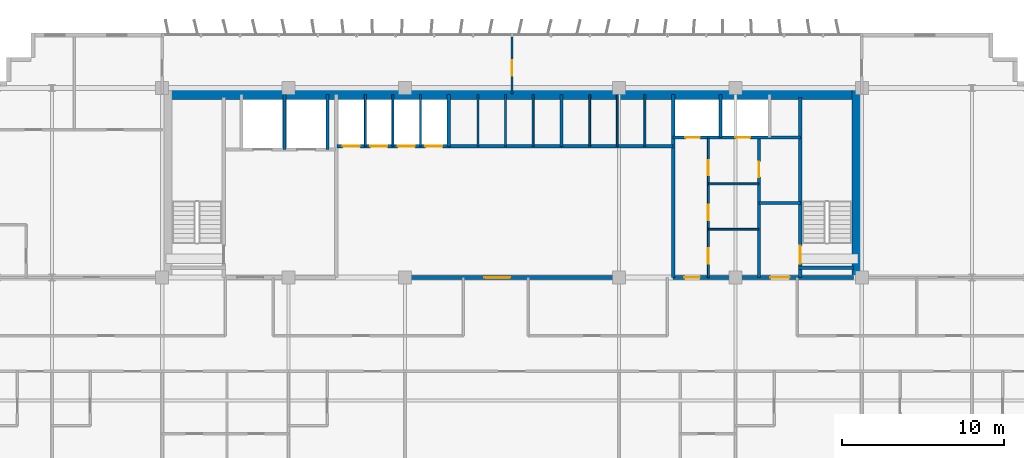
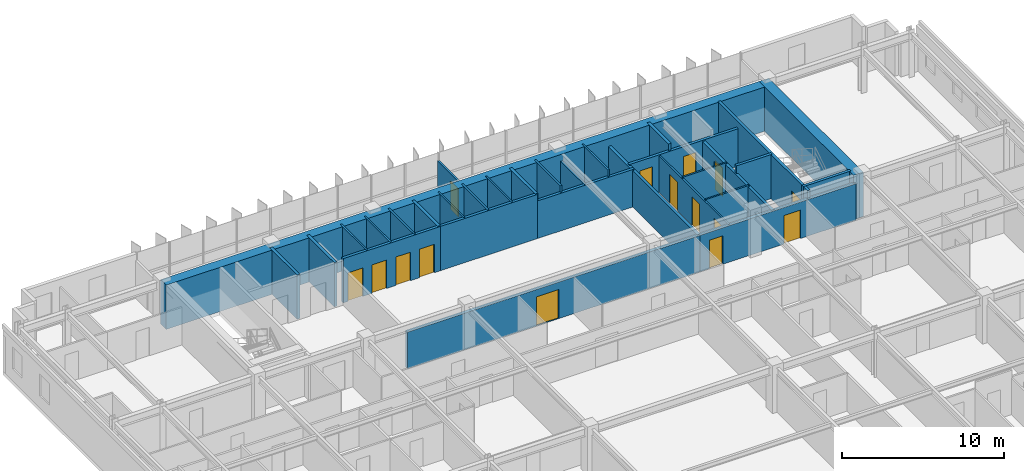
# One storey, part 18 of 22: 31 walls, 15 doors, 15 openings.
"""IFC4 building model written with IfcOpenShell, lengths in metres."""

import ifcopenshell
import ifcopenshell.guid

model = None  # the IFC model being written
_history = None  # IfcOwnerHistory: only IFC2X3 demands one
_inside = {}  # id of a spatial element -> (the spatial element, [elements in it])
_under = {}  # id of a project, library or spatial element -> (it, [spatial elements below it])
_declared = {}  # id of a project -> (the project, [libraries it declares])
_typed = {}  # id of a type object -> (the type object, [elements of that type])
_made_of = {}  # id of a material, layer set ... -> (it, [elements and type objects made of it])


def new_model(schema):
    """Start an empty IFC model of exactly this schema.

    Asked for "IFC4X3", IfcOpenShell would pick the latest addendum, in which some entities
    have other attributes; the version numbers below select the first issue.
    IFC2X3 requires an IfcOwnerHistory on every rooted entity: one is made here for all.
    """
    global model, _history
    if schema == "IFC4X3":
        model = ifcopenshell.file(schema_version=(4, 3, 0, 0))
    else:
        model = ifcopenshell.file(schema=schema)
    _inside.clear()
    _under.clear()
    _declared.clear()
    _typed.clear()
    _made_of.clear()
    _history = None
    if model.schema == "IFC2X3":
        org = make("IfcOrganization", Name="unknown")
        user = make(
            "IfcPersonAndOrganization",
            ThePerson=make("IfcPerson", FamilyName="unknown"),
            TheOrganization=org,
        )
        app = make(
            "IfcApplication",
            ApplicationDeveloper=org,
            Version="unknown",
            ApplicationFullName="unknown",
            ApplicationIdentifier="unknown",
        )
        _history = make(
            "IfcOwnerHistory",
            OwningUser=user,
            OwningApplication=app,
            ChangeAction="ADDED",
            CreationDate=0,
        )
    return model


def make(cls, **values):
    """One entity of the class cls with the attributes given. An attribute that is None is left unset."""
    return model.create_entity(
        cls, **{name: value for name, value in values.items() if value is not None}
    )


def rooted(cls, **values):
    """An entity with a GlobalId (a new one), such as an element, a storey or a relation."""
    return make(cls, GlobalId=ifcopenshell.guid.new(), OwnerHistory=_history, **values)


def si_unit(unit_type, name, prefix=None):
    """IfcSIUnit, for example si_unit("LENGTHUNIT", "METRE", prefix="MILLI")."""
    return make("IfcSIUnit", UnitType=unit_type, Prefix=prefix, Name=name)


def assignment(units):
    """IfcUnitAssignment: the units of a project."""
    return None if units is None else make("IfcUnitAssignment", Units=units)


def point(xyz):
    """IfcCartesianPoint."""
    return None if xyz is None else make("IfcCartesianPoint", Coordinates=xyz)


def direction(xyz):
    """IfcDirection."""
    return None if xyz is None else make("IfcDirection", DirectionRatios=xyz)


def frame(location, z_axis=None, x_axis=None):
    """IfcAxis2Placement3D, a coordinate frame: its origin and axes. An axis left out is left unset."""
    return make(
        "IfcAxis2Placement3D",
        Location=point(location),
        Axis=direction(z_axis),
        RefDirection=direction(x_axis),
    )


def frame_2d(location, x_axis=None):
    """IfcAxis2Placement2D, a coordinate frame in the plane: its origin and x axis."""
    return make(
        "IfcAxis2Placement2D", Location=point(location), RefDirection=direction(x_axis)
    )


def origin():
    """The frame at (0, 0, 0) with its axes left unset."""
    return frame((0.0, 0.0, 0.0))


def place(relative_to, where):
    """IfcLocalPlacement: puts the frame where relative to a parent placement (None: the world)."""
    return make(
        "IfcLocalPlacement", PlacementRelTo=relative_to, RelativePlacement=where
    )


def context(
    kind, dimensions, precision=None, world=None, true_north=None, identifier=None
):
    """IfcGeometricRepresentationContext, for example the 3D "Model" context."""
    return make(
        "IfcGeometricRepresentationContext",
        ContextIdentifier=identifier,
        ContextType=kind,
        CoordinateSpaceDimension=dimensions,
        Precision=precision,
        WorldCoordinateSystem=world,
        TrueNorth=true_north,
    )


def subcontext(parent, identifier, kind, view, scale=None):
    """IfcGeometricRepresentationSubContext, for example "Body" below "Model"."""
    return make(
        "IfcGeometricRepresentationSubContext",
        ContextIdentifier=identifier,
        ContextType=kind,
        ParentContext=parent,
        TargetScale=scale,
        TargetView=view,
    )


def project(units=None, contexts=None):
    """IfcProject with its units and contexts."""
    return rooted(
        "IfcProject",
        Name="project",
        RepresentationContexts=contexts,
        UnitsInContext=assignment(units),
    )


def spatial(cls, under=None, at=None, **own):
    """A site, building, storey or space (cls), placed at a placement, below another one or the project."""
    s = rooted(cls, ObjectPlacement=at, **own)
    if under is not None:
        _under.setdefault(under.id(), (under, []))[1].append(s)
    return s


def profile(cls, at=None, kind="AREA", **sizes):
    """A parametric profile (cls). Its sizes go by their IFC names, for example OverallWidth=200.0."""
    return make(cls, ProfileType=kind, Position=at, **sizes)


def rectangle(**sizes):
    """IfcRectangleProfileDef."""
    return profile("IfcRectangleProfileDef", **sizes)


def extrude(swept, where, along, depth):
    """IfcExtrudedAreaSolid: the profile swept, set in the frame where, extruded along a direction by depth."""
    return make(
        "IfcExtrudedAreaSolid",
        SweptArea=swept,
        Position=where,
        ExtrudedDirection=direction(along),
        Depth=depth,
    )


def shape(context_of_items, identifier, shape_type, items):
    """IfcShapeRepresentation: the items that make up one representation, for example the "Body"."""
    return make(
        "IfcShapeRepresentation",
        ContextOfItems=context_of_items,
        RepresentationIdentifier=identifier,
        RepresentationType=shape_type,
        Items=items,
    )


def source(mapping_origin, context_of_items, identifier, shape_type, items):
    """IfcRepresentationMap: a shape defined once, which mapped items show again and again."""
    return make(
        "IfcRepresentationMap",
        MappingOrigin=mapping_origin,
        MappedRepresentation=shape(context_of_items, identifier, shape_type, items),
    )


def transform(
    local_origin,
    x_axis=None,
    y_axis=None,
    z_axis=None,
    scale=None,
    scale2=None,
    scale3=None,
    uniform=True,
):
    """IfcCartesianTransformationOperator3D, or its non-uniform kind. x_axis, y_axis, z_axis: its Axis1, 2, 3."""
    if uniform:
        return make(
            "IfcCartesianTransformationOperator3D",
            Axis1=direction(x_axis),
            Axis2=direction(y_axis),
            LocalOrigin=point(local_origin),
            Scale=scale,
            Axis3=direction(z_axis),
        )
    return make(
        "IfcCartesianTransformationOperator3DnonUniform",
        Axis1=direction(x_axis),
        Axis2=direction(y_axis),
        LocalOrigin=point(local_origin),
        Scale=scale,
        Axis3=direction(z_axis),
        Scale2=scale2,
        Scale3=scale3,
    )


def mapped(mapping_source, mapping_target):
    """IfcMappedItem: shows the shape of a source again, moved by a transform."""
    return make(
        "IfcMappedItem", MappingSource=mapping_source, MappingTarget=mapping_target
    )


def material(Name=None, Category=None):
    """IfcMaterial."""
    return make("IfcMaterial", Name=Name, Category=Category)


def layer(
    of_material, thickness, ventilated=None, Name=None, Category=None, Priority=None
):
    """IfcMaterialLayer: one layer of a wall or slab, of a material (None: an air gap)."""
    return make(
        "IfcMaterialLayer",
        Material=of_material,
        LayerThickness=thickness,
        IsVentilated=ventilated,
        Name=Name,
        Category=Category,
        Priority=Priority,
    )


def layer_set(layers, Name=None):
    """IfcMaterialLayerSet."""
    return make("IfcMaterialLayerSet", MaterialLayers=layers, LayerSetName=Name)


def made_of(thing, what):
    """Note that an element or type object is made of a material, layer set ...; save() writes the relation."""
    if what is not None:
        _made_of.setdefault(what.id(), (what, []))[1].append(thing)
    return thing


def type_object(cls, material=None, **own):
    """A type object (cls), such as IfcWallType, which elements share."""
    return made_of(rooted(cls, **own), material)


def element(
    cls,
    number,
    at=None,
    inside=None,
    cuts=None,
    type_object=None,
    material=None,
    context=None,
    identifier="Body",
    shape_type=None,
    held_by="IfcProductDefinitionShape",
    body=None,
    shapes=None,
    **own,
):
    """One element of the class cls, such as IfcWall. Its Tag is "e" and its number.

    at: its placement. inside: the storey or other place that contains it. cuts: it is an
    opening in that element (IfcRelVoidsElement). A single representation is given by context,
    identifier, shape_type and body (its items); several are given by shapes. held_by: the class
    of the entity that holds the representations. save() writes the other relations.
    """
    e = rooted(cls, Tag="e%d" % number, ObjectPlacement=at, **own)
    if body is not None:
        shapes = [shape(context, identifier, shape_type, body)]
    if shapes is not None:
        e.Representation = make(held_by, Representations=shapes)
    if inside is not None:
        _inside.setdefault(inside.id(), (inside, []))[1].append(e)
    if cuts is not None:
        rooted(
            "IfcRelVoidsElement", RelatingBuildingElement=cuts, RelatedOpeningElement=e
        )
    if type_object is not None:
        _typed.setdefault(type_object.id(), (type_object, []))[1].append(e)
    return made_of(e, material)


def fill(opening, filler):
    """IfcRelFillsElement: the door or window that sits in an opening."""
    return rooted(
        "IfcRelFillsElement",
        RelatingOpeningElement=opening,
        RelatedBuildingElement=filler,
    )


def aggregate(whole, parts):
    """IfcRelAggregates: a whole, such as a stair, and the parts it consists of."""
    return rooted("IfcRelAggregates", RelatingObject=whole, RelatedObjects=parts)


def save(model, path):
    """Write the relations noted so far, then the file.

    IfcRelAggregates (storeys below a building ...), IfcRelContainedInSpatialStructure (elements
    in a storey), IfcRelDefinesByType, IfcRelAssociatesMaterial and IfcRelDeclares: one each for
    every whole, place, type object, material and project.
    """
    for whole, parts in _under.values():
        aggregate(whole, parts)
    for where, things in _inside.values():
        rooted(
            "IfcRelContainedInSpatialStructure",
            RelatedElements=things,
            RelatingStructure=where,
        )
    for kind, things in _typed.values():
        rooted("IfcRelDefinesByType", RelatedObjects=things, RelatingType=kind)
    for what, things in _made_of.values():
        rooted("IfcRelAssociatesMaterial", RelatedObjects=things, RelatingMaterial=what)
    for by, libraries in _declared.values():
        rooted("IfcRelDeclares", RelatingContext=by, RelatedDefinitions=libraries)
    model.write(path)


model = new_model("IFC4")

# Units and contexts
model_context = context("Model", 3, precision=1e-05, world=origin(), true_north=direction((0.0, 1.0)))
body_context = subcontext(model_context, "Body", "Model", "MODEL_VIEW")
ifc_project = project(units=[si_unit("LENGTHUNIT", "METRE"), si_unit("AREAUNIT", "SQUARE_METRE"), si_unit("VOLUMEUNIT", "CUBIC_METRE"), si_unit("PLANEANGLEUNIT", "RADIAN"), si_unit("MASSUNIT", "GRAM", prefix="KILO")], contexts=[model_context])

# Site, building, storey
site_placement = place(None, origin())
site = spatial("IfcSite", under=ifc_project, at=site_placement, CompositionType="ELEMENT")
building_placement = place(site_placement, origin())
building = spatial("IfcBuilding", under=site, at=building_placement, Name="Trelvane Seafront Commons", CompositionType="ELEMENT")
storey_placement = place(building_placement, frame((0.0, 0.0, 96.10009765625)))
storey = spatial("IfcBuildingStorey", under=building, at=storey_placement, Name="L24", CompositionType="ELEMENT", Elevation=96.10009765625)

# Wall, opening, door
ifc_material_1 = material(Name="Concrete C40/50", Category="concrete")
ifc_layer_1 = layer(ifc_material_1, 0.199951171875, Name="ARCH-WALL-FIRE200")
ifc_layer_set_1 = layer_set([ifc_layer_1], Name="Concrete C40/50")
wall_type_1 = type_object("IfcWallType", Name="ARCH-WALL-FIRE200", PredefinedType="PARTITIONING", material=ifc_layer_set_1)
wall_1_placement = place(storey_placement, frame((52.449951171875, 33.39990234375, 0.0), z_axis=(0.0, 0.0, 1.0), x_axis=(0.0, 1.0, 0.0)))
wall_1 = element("IfcWall", 1, at=wall_1_placement, inside=storey, type_object=wall_type_1, Name="W-L24-ST2V-W-033", PredefinedType="PARTITIONING", context=body_context, shape_type="SweptSolid", body=[
    extrude(rectangle(XDim=8.650146484375, YDim=0.199951171875, at=frame_2d((4.3251953125, 0.0))), origin(), (0.0, 0.0, 1.0), 2.751953125),
])
opening_1_placement = place(wall_1_placement, frame((6.199951171875, 0.0, 0.0)))
opening_1 = element("IfcOpeningElement", 2, at=opening_1_placement, cuts=wall_1, Name="Opening FD-L24-13", PredefinedType="OPENING", context=body_context, shape_type="SweptSolid", body=[
    extrude(rectangle(XDim=0.949951171875, YDim=2.14990234375, at=frame_2d((0.47509765625, 1.074951171875))), frame((0.0, 0.10986328125, 0.0), z_axis=(0.0, -1.0, 0.0), x_axis=(1.0, 0.0, 0.0)), (0.0, 0.0, 1.0), 0.219970703125),
])
ifc_material_2 = material(Name="Powder-coated aluminium frame", Category="aluminium")
door_type_1 = type_object("IfcDoorType", Name="ARCH-DR-FD60-950", OperationType="NOTDEFINED", PredefinedType="DOOR", material=ifc_material_2)
shared_shape_1 = source(origin(), body_context, "Body", "SweptSolid", [
    extrude(rectangle(XDim=0.949951171875, YDim=2.14990234375, at=frame_2d((0.47509765625, 1.074951171875))), frame((0.0, 0.02490234375, 0.0), z_axis=(0.0, -1.0, 0.0), x_axis=(1.0, 0.0, 0.0)), (0.0, 0.0, 1.0), 0.050048828125),
])
door_1_placement = place(opening_1_placement, origin())
door_1 = element("IfcDoor", 3, at=door_1_placement, inside=storey, type_object=door_type_1, Name="L24 Cleaner Store Door", OperationType="SINGLE_SWING_LEFT", OverallHeight=2.14990234375, OverallWidth=0.949951171875, PredefinedType="DOOR", context=body_context, shape_type="MappedRepresentation", body=[
    mapped(shared_shape_1, transform((0.0, 0.0, 0.0), x_axis=(1.0, 0.0, 0.0), y_axis=(0.0, 1.0, 0.0), z_axis=(0.0, 0.0, 1.0), scale=1.0)),
])
fill(opening_1, door_1)

# Wall
wall_2_placement = place(storey_placement, frame((52.449951171875, 38.0, 0.0), z_axis=(0.0, 0.0, 1.0), x_axis=(1.0, 0.0, 0.0)))
element("IfcWall", 4, at=wall_2_placement, inside=storey, type_object=wall_type_1, Name="W-L24-ST2V-N-034", PredefinedType="PARTITIONING", context=body_context, shape_type="SweptSolid", body=[
    extrude(rectangle(XDim=2.550048828125, YDim=0.199951171875, at=frame_2d((1.27490234375, 0.0))), origin(), (0.0, 0.0, 1.0), 3.33984375),
])

# Wall, opening, door
ifc_layer_2 = layer(ifc_material_1, 0.25, Name="ARCH-WALL-FIRE250")
ifc_layer_set_2 = layer_set([ifc_layer_2], Name="Concrete C40/50")
wall_type_2 = type_object("IfcWallType", Name="ARCH-WALL-FIRE250", PredefinedType="PARTITIONING", material=ifc_layer_set_2)
wall_3_placement = place(storey_placement, frame((26.300048828125, 33.39990234375, 0.0), z_axis=(0.0, 0.0, 1.0), x_axis=(1.0, 0.0, 0.0)))
wall_3 = element("IfcWall", 5, at=wall_3_placement, inside=storey, type_object=wall_type_2, Name="W-L24-CS-PAX-029", PredefinedType="PARTITIONING", context=body_context, shape_type="SweptSolid", body=[
    extrude(rectangle(XDim=20.849853515625, YDim=0.25, at=frame_2d((10.4248046875, 0.0))), origin(), (0.0, 0.0, 1.0), 2.751953125),
])
opening_2_placement = place(wall_3_placement, frame((9.199951171875, 0.0, 0.0)))
opening_2 = element("IfcOpeningElement", 6, at=opening_2_placement, cuts=wall_3, Name="Opening FD-L24-10", PredefinedType="OPENING", context=body_context, shape_type="SweptSolid", body=[
    extrude(rectangle(XDim=1.60009765625, YDim=2.199951171875, at=frame_2d((0.800048828125, 1.10009765625))), frame((0.0, 0.135009765625, 0.0), z_axis=(0.0, -1.0, 0.0), x_axis=(1.0, 0.0, 0.0)), (0.0, 0.0, 1.0), 0.27001953125),
])
door_type_2 = type_object("IfcDoorType", Name="ARCH-DR-FD60-1600", OperationType="DOUBLE_DOOR_SINGLE_SWING", PredefinedType="DOOR", material=ifc_material_2)
shared_shape_2 = source(origin(), body_context, "Body", "SweptSolid", [
    extrude(rectangle(XDim=1.60009765625, YDim=2.199951171875, at=frame_2d((0.800048828125, 1.10009765625))), frame((0.0, 0.02490234375, 0.0), z_axis=(0.0, -1.0, 0.0), x_axis=(1.0, 0.0, 0.0)), (0.0, 0.0, 1.0), 0.050048828125),
])
door_2_placement = place(opening_2_placement, origin())
door_2 = element("IfcDoor", 7, at=door_2_placement, inside=storey, type_object=door_type_2, Name="L24 Passenger Lift Lobby Double Door", OperationType="DOUBLE_DOOR_SINGLE_SWING", OverallHeight=2.199951171875, OverallWidth=1.60009765625, PredefinedType="DOOR", context=body_context, shape_type="MappedRepresentation", body=[
    mapped(shared_shape_2, transform((0.0, 0.0, 0.0), x_axis=(1.0, 0.0, 0.0), y_axis=(0.0, 1.0, 0.0), z_axis=(0.0, 0.0, 1.0), scale=1.0)),
])
fill(opening_2, door_2)

# Wall, openings, doors
wall_4_placement = place(storey_placement, frame((47.14990234375, 33.39990234375, 0.0), z_axis=(0.0, 0.0, 1.0), x_axis=(1.0, 0.0, 0.0)))
wall_4 = element("IfcWall", 8, at=wall_4_placement, inside=storey, type_object=wall_type_2, Name="W-L24-CS-EAST-038", PredefinedType="PARTITIONING", context=body_context, shape_type="SweptSolid", body=[
    extrude(rectangle(XDim=11.150146484375, YDim=0.25, at=frame_2d((5.5751953125, 0.0))), origin(), (0.0, 0.0, 1.0), 2.751953125),
])
opening_3_placement = place(wall_4_placement, frame((0.699951171875, 0.0, 0.0)))
opening_3 = element("IfcOpeningElement", 9, at=opening_3_placement, cuts=wall_4, Name="Opening FD-L24-17", PredefinedType="OPENING", context=body_context, shape_type="SweptSolid", body=[
    extrude(rectangle(XDim=0.949951171875, YDim=2.14990234375, at=frame_2d((0.47509765625, 1.074951171875))), frame((0.0, 0.135009765625, 0.0), z_axis=(0.0, -1.0, 0.0), x_axis=(1.0, 0.0, 0.0)), (0.0, 0.0, 1.0), 0.27001953125),
])
opening_4_placement = place(wall_4_placement, frame((6.0, 0.0, 0.0)))
opening_4 = element("IfcOpeningElement", 10, at=opening_4_placement, cuts=wall_4, Name="Opening FD-L24-18", PredefinedType="OPENING", context=body_context, shape_type="SweptSolid", body=[
    extrude(rectangle(XDim=1.199951171875, YDim=2.14990234375, at=frame_2d((0.60009765625, 1.074951171875))), frame((0.0, 0.135009765625, 0.0), z_axis=(0.0, -1.0, 0.0), x_axis=(1.0, 0.0, 0.0)), (0.0, 0.0, 1.0), 0.27001953125),
])
door_3_placement = place(opening_3_placement, origin())
door_3 = element("IfcDoor", 11, at=door_3_placement, inside=storey, type_object=door_type_1, Name="L24 Core Service Lobby Door", OperationType="SINGLE_SWING_LEFT", OverallHeight=2.14990234375, OverallWidth=0.949951171875, PredefinedType="DOOR", context=body_context, shape_type="MappedRepresentation", body=[
    mapped(shared_shape_1, transform((0.0, 0.0, 0.0), x_axis=(1.0, 0.0, 0.0), y_axis=(0.0, 1.0, 0.0), z_axis=(0.0, 0.0, 1.0), scale=1.0)),
])
fill(opening_3, door_3)
door_type_3 = type_object("IfcDoorType", Name="ARCH-DR-FD60-1200", OperationType="NOTDEFINED", PredefinedType="DOOR", material=ifc_material_2)
shared_shape_3 = source(origin(), body_context, "Body", "SweptSolid", [
    extrude(rectangle(XDim=1.199951171875, YDim=2.14990234375, at=frame_2d((0.60009765625, 1.074951171875))), frame((0.0, 0.02490234375, 0.0), z_axis=(0.0, -1.0, 0.0), x_axis=(1.0, 0.0, 0.0)), (0.0, 0.0, 1.0), 0.050048828125),
])
door_4_placement = place(opening_4_placement, origin())
door_4 = element("IfcDoor", 12, at=door_4_placement, inside=storey, type_object=door_type_3, Name="L24 East Stair Vestibule Fire Door", OperationType="SINGLE_SWING_RIGHT", OverallHeight=2.14990234375, OverallWidth=1.199951171875, PredefinedType="DOOR", context=body_context, shape_type="MappedRepresentation", body=[
    mapped(shared_shape_3, transform((0.0, 0.0, 0.0), x_axis=(1.0, 0.0, 0.0), y_axis=(0.0, 1.0, 0.0), z_axis=(0.0, 0.0, 1.0), scale=1.0)),
])
fill(opening_4, door_4)

# Walls
ifc_material_3 = material(Name="Gypsum Drywall Acoustic Partition")
ifc_layer_3 = layer(ifc_material_3, 0.1201171875, Name="ARCH-WALL-PART120")
ifc_layer_set_3 = layer_set([ifc_layer_3], Name="Gypsum Drywall Acoustic Partition")
wall_type_3 = type_object("IfcWallType", Name="ARCH-WALL-PART120", PredefinedType="PARTITIONING", material=ifc_layer_set_3)
for number, where, z_axis, x_axis, name in (
    (13, (28.14990234375, 41.5, 0.0), (0.0, 0.0, 1.0), (0.0, 1.0, 0.0), "W-L24-PL-DIV1-016"),
    (14, (29.85009765625, 41.5, 0.0), (0.0, 0.0, 1.0), (0.0, 1.0, 0.0), "W-L24-PL-DIV2-017"),
    (15, (31.550048828125, 41.5, 0.0), (0.0, 0.0, 1.0), (0.0, 1.0, 0.0), "W-L24-PL-DIV3-018"),
    (16, (35.10009765625, 41.5, 0.0), (0.0, 0.0, 1.0), (0.0, 1.0, 0.0), "W-L24-PM-DIV1-020"),
    (17, (36.800048828125, 41.5, 0.0), (0.0, 0.0, 1.0), (0.0, 1.0, 0.0), "W-L24-PM-DIV2-021"),
    (18, (38.5, 41.5, 0.0), (0.0, 0.0, 1.0), (0.0, 1.0, 0.0), "W-L24-PM-DIV3-022"),
    (19, (42.0, 41.5, 0.0), (0.0, 0.0, 1.0), (0.0, 1.0, 0.0), "W-L24-PH-DIV1-025"),
):
    element("IfcWall", number, at=place(storey_placement, frame(where, z_axis=z_axis, x_axis=x_axis)), inside=storey, type_object=wall_type_3, Name=name, PredefinedType="PARTITIONING", context=body_context, shape_type="SweptSolid", body=[
        extrude(rectangle(XDim=3.199951171875, YDim=0.1201171875, at=frame_2d((1.60009765625, 0.0))), origin(), (0.0, 0.0, 1.0), 3.33984375),
    ])
wall_5_placement = place(storey_placement, frame((43.699951171875, 41.5, 0.0), z_axis=(0.0, 0.0, 1.0), x_axis=(0.0, 1.0, 0.0)))
element("IfcWall", 20, at=wall_5_placement, inside=storey, type_object=wall_type_3, Name="W-L24-PH-DIV2-026", PredefinedType="PARTITIONING", context=body_context, shape_type="SweptSolid", body=[
    extrude(rectangle(XDim=3.199951171875, YDim=0.1201171875, at=frame_2d((1.60009765625, 0.0))), origin(), (0.0, 0.0, 1.0), 2.83984375),
])
wall_6_placement = place(storey_placement, frame((45.39990234375, 41.5, 0.0), z_axis=(0.0, 0.0, 1.0), x_axis=(0.0, 1.0, 0.0)))
element("IfcWall", 21, at=wall_6_placement, inside=storey, type_object=wall_type_3, Name="W-L24-PH-DIV3-027", PredefinedType="PARTITIONING", context=body_context, shape_type="SweptSolid", body=[
    extrude(rectangle(XDim=3.199951171875, YDim=0.1201171875, at=frame_2d((1.60009765625, 0.0))), origin(), (0.0, 0.0, 1.0), 3.33984375),
])

# Wall, openings, doors
wall_7_placement = place(storey_placement, frame((49.320068359375, 33.39990234375, 0.0), z_axis=(0.0, 0.0, 1.0), x_axis=(0.0, 1.0, 0.0)))
wall_7 = element("IfcWall", 22, at=wall_7_placement, inside=storey, type_object=wall_type_3, Name="W-L24-CYC3-V-035", PredefinedType="PARTITIONING", context=body_context, shape_type="SweptSolid", body=[
    extrude(rectangle(XDim=8.60009765625, YDim=0.1201171875, at=frame_2d((4.300048828125, 0.0))), origin(), (0.0, 0.0, 1.0), 2.751953125),
])
opening_5_placement = place(wall_7_placement, frame((0.85009765625, 0.0, 0.0)))
opening_5 = element("IfcOpeningElement", 23, at=opening_5_placement, cuts=wall_7, Name="Opening D-L24-14", PredefinedType="OPENING", context=body_context, shape_type="SweptSolid", body=[
    extrude(rectangle(XDim=0.949951171875, YDim=2.14990234375, at=frame_2d((0.47509765625, 1.074951171875))), frame((0.0, 0.070068359375, 0.0), z_axis=(0.0, -1.0, 0.0), x_axis=(1.0, 0.0, 0.0)), (0.0, 0.0, 1.0), 0.14013671875),
])
opening_6_placement = place(wall_7_placement, frame((3.550048828125, 0.0, 0.0)))
opening_6 = element("IfcOpeningElement", 24, at=opening_6_placement, cuts=wall_7, Name="Opening D-L24-15", PredefinedType="OPENING", context=body_context, shape_type="SweptSolid", body=[
    extrude(rectangle(XDim=0.949951171875, YDim=2.14990234375, at=frame_2d((0.47509765625, 1.074951171875))), frame((0.0, 0.070068359375, 0.0), z_axis=(0.0, -1.0, 0.0), x_axis=(1.0, 0.0, 0.0)), (0.0, 0.0, 1.0), 0.14013671875),
])
opening_7_placement = place(wall_7_placement, frame((6.300048828125, 0.0, 0.0)))
opening_7 = element("IfcOpeningElement", 25, at=opening_7_placement, cuts=wall_7, Name="Opening D-L24-16", PredefinedType="OPENING", context=body_context, shape_type="SweptSolid", body=[
    extrude(rectangle(XDim=0.949951171875, YDim=2.14990234375, at=frame_2d((0.47509765625, 1.074951171875))), frame((0.0, 0.070068359375, 0.0), z_axis=(0.0, -1.0, 0.0), x_axis=(1.0, 0.0, 0.0)), (0.0, 0.0, 1.0), 0.14013671875),
])
ifc_material_4 = material(Name="Acoustic timber door leaf", Category="wood")
door_type_4 = type_object("IfcDoorType", Name="ARCH-DR-INT950", OperationType="NOTDEFINED", PredefinedType="DOOR", material=ifc_material_4)
door_5_placement = place(opening_5_placement, origin())
door_5 = element("IfcDoor", 26, at=door_5_placement, inside=storey, type_object=door_type_4, Name="L24 Accessible WC Door", OperationType="SINGLE_SWING_RIGHT", OverallHeight=2.14990234375, OverallWidth=0.949951171875, PredefinedType="DOOR", context=body_context, shape_type="MappedRepresentation", body=[
    mapped(shared_shape_1, transform((0.0, 0.0, 0.0), x_axis=(1.0, 0.0, 0.0), y_axis=(0.0, 1.0, 0.0), z_axis=(0.0, 0.0, 1.0), scale=1.0)),
])
fill(opening_5, door_5)
door_6_placement = place(opening_6_placement, origin())
door_6 = element("IfcDoor", 27, at=door_6_placement, inside=storey, type_object=door_type_4, Name="L24 Staff WC Door", OperationType="SINGLE_SWING_LEFT", OverallHeight=2.14990234375, OverallWidth=0.949951171875, PredefinedType="DOOR", context=body_context, shape_type="MappedRepresentation", body=[
    mapped(shared_shape_1, transform((0.0, 0.0, 0.0), x_axis=(1.0, 0.0, 0.0), y_axis=(0.0, 1.0, 0.0), z_axis=(0.0, 0.0, 1.0), scale=1.0)),
])
fill(opening_6, door_6)
door_7_placement = place(opening_7_placement, origin())
door_7 = element("IfcDoor", 28, at=door_7_placement, inside=storey, type_object=door_type_4, Name="L24 Electrical Room Door", OperationType="SINGLE_SWING_RIGHT", OverallHeight=2.14990234375, OverallWidth=0.949951171875, PredefinedType="DOOR", context=body_context, shape_type="MappedRepresentation", body=[
    mapped(shared_shape_1, transform((0.0, 0.0, 0.0), x_axis=(1.0, 0.0, 0.0), y_axis=(0.0, 1.0, 0.0), z_axis=(0.0, 0.0, 1.0), scale=1.0)),
])
fill(opening_7, door_7)

# Walls
for number, where, z_axis, x_axis, name in (
    (29, (49.320068359375, 36.3798828125, 0.0), (0.0, 0.0, 1.0), (1.0, 0.0, 0.0), "W-L24-CYC3-H1-036"),
    (30, (49.320068359375, 39.179931640625, 0.0), (0.0, 0.0, 1.0), (1.0, 0.0, 0.0), "W-L24-CYC3-H2-037"),
):
    element("IfcWall", number, at=place(storey_placement, frame(where, z_axis=z_axis, x_axis=x_axis)), inside=storey, type_object=wall_type_3, Name=name, PredefinedType="PARTITIONING", context=body_context, shape_type="SweptSolid", body=[
        extrude(rectangle(XDim=3.1298828125, YDim=0.1201171875, at=frame_2d((1.56494140625, 0.0))), origin(), (0.0, 0.0, 1.0), 2.83984375),
    ])

# Wall, opening, door
wall_8_placement = place(storey_placement, frame((37.199951171875, 44.75, 0.0), z_axis=(0.0, 0.0, 1.0), x_axis=(0.0, 1.0, 0.0)))
wall_8 = element("IfcWall", 31, at=wall_8_placement, inside=storey, type_object=wall_type_3, Name="W-L24-N-MID-DV-057", PredefinedType="PARTITIONING", context=body_context, shape_type="SweptSolid", body=[
    extrude(rectangle(XDim=3.610107421875, YDim=0.1201171875, at=frame_2d((1.80517578125, 0.0))), origin(), (0.0, 0.0, 1.0), 2.751953125),
])
opening_8_placement = place(wall_8_placement, frame((1.10009765625, 0.0, 0.0)))
opening_8 = element("IfcOpeningElement", 32, at=opening_8_placement, cuts=wall_8, Name="Opening D-L24-29", PredefinedType="OPENING", context=body_context, shape_type="SweptSolid", body=[
    extrude(rectangle(XDim=0.949951171875, YDim=2.14990234375, at=frame_2d((0.47509765625, 1.074951171875))), frame((0.0, 0.070068359375, 0.0), z_axis=(0.0, -1.0, 0.0), x_axis=(1.0, 0.0, 0.0)), (0.0, 0.0, 1.0), 0.14013671875),
])
door_8_placement = place(opening_8_placement, origin())
door_8 = element("IfcDoor", 33, at=door_8_placement, inside=storey, type_object=door_type_4, Name="L24 Door 29", OperationType="SINGLE_SWING_LEFT", OverallHeight=2.14990234375, OverallWidth=0.949951171875, PredefinedType="DOOR", context=body_context, shape_type="MappedRepresentation", body=[
    mapped(shared_shape_1, transform((0.0, 0.0, 0.0), x_axis=(1.0, 0.0, 0.0), y_axis=(0.0, 1.0, 0.0), z_axis=(0.0, 0.0, 1.0), scale=1.0)),
])
fill(opening_8, door_8)

# Walls
ifc_layer_4 = layer(ifc_material_1, 0.199951171875, Name="ARCH-WALL-SHAFT200")
ifc_layer_set_4 = layer_set([ifc_layer_4], Name="Concrete C40/50")
wall_type_4 = type_object("IfcWallType", Name="ARCH-WALL-SHAFT200", PredefinedType="SOLIDWALL", material=ifc_layer_set_4)
for number, where, z_axis, x_axis, name in (
    (34, (23.14990234375, 41.300048828125, 0.0), (0.0, 0.0, 1.0), (0.0, 1.0, 0.0), "W-L24-FFL-DIV-010"),
    (35, (25.800048828125, 41.300048828125, 0.0), (0.0, 0.0, 1.0), (0.0, 1.0, 0.0), "W-L24-FFL-SH-E-011"),
):
    element("IfcWall", number, at=place(storey_placement, frame(where, z_axis=z_axis, x_axis=x_axis)), inside=storey, type_object=wall_type_4, Name=name, PredefinedType="SOLIDWALL", context=body_context, shape_type="SweptSolid", body=[
        extrude(rectangle(XDim=3.39990234375, YDim=0.199951171875, at=frame_2d((1.699951171875, 0.0))), origin(), (0.0, 0.0, 1.0), 3.33984375),
    ])

# Wall, openings, doors
wall_9_placement = place(storey_placement, frame((26.39990234375, 41.5, 0.0), z_axis=(0.0, 0.0, 1.0), x_axis=(1.0, 0.0, 0.0)))
wall_9 = element("IfcWall", 36, at=wall_9_placement, inside=storey, type_object=wall_type_4, Name="W-L24-PL-FRONT-014", PredefinedType="SOLIDWALL", context=body_context, shape_type="SweptSolid", body=[
    extrude(rectangle(XDim=6.9501953125, YDim=0.199951171875, at=frame_2d((3.47509765625, 0.0))), origin(), (0.0, 0.0, 1.0), 3.33984375),
])
opening_9_placement = place(wall_9_placement, frame((0.35009765625, 0.0, 0.0)))
opening_9 = element("IfcOpeningElement", 37, at=opening_9_placement, cuts=wall_9, Name="Opening LD-PL1-L24", PredefinedType="OPENING", context=body_context, shape_type="SweptSolid", body=[
    extrude(rectangle(XDim=1.050048828125, YDim=2.14990234375, at=frame_2d((0.52490234375, 1.074951171875))), frame((0.0, 0.10986328125, 0.0), z_axis=(0.0, -1.0, 0.0), x_axis=(1.0, 0.0, 0.0)), (0.0, 0.0, 1.0), 0.219970703125),
])
opening_10_placement = place(wall_9_placement, frame((2.050048828125, 0.0, 0.0)))
opening_10 = element("IfcOpeningElement", 38, at=opening_10_placement, cuts=wall_9, Name="Opening LD-PL2-L24", PredefinedType="OPENING", context=body_context, shape_type="SweptSolid", body=[
    extrude(rectangle(XDim=1.050048828125, YDim=2.14990234375, at=frame_2d((0.52490234375, 1.074951171875))), frame((0.0, 0.10986328125, 0.0), z_axis=(0.0, -1.0, 0.0), x_axis=(1.0, 0.0, 0.0)), (0.0, 0.0, 1.0), 0.219970703125),
])
opening_11_placement = place(wall_9_placement, frame((3.75, 0.0, 0.0)))
opening_11 = element("IfcOpeningElement", 39, at=opening_11_placement, cuts=wall_9, Name="Opening LD-PL3-L24", PredefinedType="OPENING", context=body_context, shape_type="SweptSolid", body=[
    extrude(rectangle(XDim=1.050048828125, YDim=2.14990234375, at=frame_2d((0.52490234375, 1.074951171875))), frame((0.0, 0.10986328125, 0.0), z_axis=(0.0, -1.0, 0.0), x_axis=(1.0, 0.0, 0.0)), (0.0, 0.0, 1.0), 0.219970703125),
])
opening_12_placement = place(wall_9_placement, frame((5.449951171875, 0.0, 0.0)))
opening_12 = element("IfcOpeningElement", 40, at=opening_12_placement, cuts=wall_9, Name="Opening LD-PL4-L24", PredefinedType="OPENING", context=body_context, shape_type="SweptSolid", body=[
    extrude(rectangle(XDim=1.050048828125, YDim=2.14990234375, at=frame_2d((0.52490234375, 1.074951171875))), frame((0.0, 0.10986328125, 0.0), z_axis=(0.0, -1.0, 0.0), x_axis=(1.0, 0.0, 0.0)), (0.0, 0.0, 1.0), 0.219970703125),
])
ifc_material_5 = material(Name="Stainless steel balustrade", Category="steel")
door_type_5 = type_object("IfcDoorType", Name="ARCH-DR-LD1050", OperationType="DOUBLE_DOOR_SLIDING", PredefinedType="DOOR", material=ifc_material_5)
shared_shape_4 = source(origin(), body_context, "Body", "SweptSolid", [
    extrude(rectangle(XDim=1.050048828125, YDim=2.14990234375, at=frame_2d((0.52490234375, 1.074951171875))), frame((0.0, 0.02490234375, 0.0), z_axis=(0.0, -1.0, 0.0), x_axis=(1.0, 0.0, 0.0)), (0.0, 0.0, 1.0), 0.050048828125),
])
door_9_placement = place(opening_9_placement, origin())
door_9 = element("IfcDoor", 41, at=door_9_placement, inside=storey, type_object=door_type_5, Name="L24 Passenger Lift PL-1 Landing Door", OperationType="DOUBLE_DOOR_SLIDING", OverallHeight=2.14990234375, OverallWidth=1.050048828125, PredefinedType="DOOR", context=body_context, shape_type="MappedRepresentation", body=[
    mapped(shared_shape_4, transform((0.0, 0.0, 0.0), x_axis=(1.0, 0.0, 0.0), y_axis=(0.0, 1.0, 0.0), z_axis=(0.0, 0.0, 1.0), scale=1.0)),
])
fill(opening_9, door_9)
door_10_placement = place(opening_10_placement, origin())
door_10 = element("IfcDoor", 42, at=door_10_placement, inside=storey, type_object=door_type_5, Name="L24 Passenger Lift PL-2 Landing Door", OperationType="DOUBLE_DOOR_SLIDING", OverallHeight=2.14990234375, OverallWidth=1.050048828125, PredefinedType="DOOR", context=body_context, shape_type="MappedRepresentation", body=[
    mapped(shared_shape_4, transform((0.0, 0.0, 0.0), x_axis=(1.0, 0.0, 0.0), y_axis=(0.0, 1.0, 0.0), z_axis=(0.0, 0.0, 1.0), scale=1.0)),
])
fill(opening_10, door_10)
door_11_placement = place(opening_11_placement, origin())
door_11 = element("IfcDoor", 43, at=door_11_placement, inside=storey, type_object=door_type_5, Name="L24 Passenger Lift PL-3 Landing Door", OperationType="DOUBLE_DOOR_SLIDING", OverallHeight=2.14990234375, OverallWidth=1.050048828125, PredefinedType="DOOR", context=body_context, shape_type="MappedRepresentation", body=[
    mapped(shared_shape_4, transform((0.0, 0.0, 0.0), x_axis=(1.0, 0.0, 0.0), y_axis=(0.0, 1.0, 0.0), z_axis=(0.0, 0.0, 1.0), scale=1.0)),
])
fill(opening_11, door_11)
door_12_placement = place(opening_12_placement, origin())
door_12 = element("IfcDoor", 44, at=door_12_placement, inside=storey, type_object=door_type_5, Name="L24 Passenger Lift PL-4 Landing Door", OperationType="DOUBLE_DOOR_SLIDING", OverallHeight=2.14990234375, OverallWidth=1.050048828125, PredefinedType="DOOR", context=body_context, shape_type="MappedRepresentation", body=[
    mapped(shared_shape_4, transform((0.0, 0.0, 0.0), x_axis=(1.0, 0.0, 0.0), y_axis=(0.0, 1.0, 0.0), z_axis=(0.0, 0.0, 1.0), scale=1.0)),
])
fill(opening_12, door_12)

# Walls
wall_10_placement = place(storey_placement, frame((33.300048828125, 41.5, 0.0), z_axis=(0.0, 0.0, 1.0), x_axis=(0.0, 1.0, 0.0)))
element("IfcWall", 45, at=wall_10_placement, inside=storey, type_object=wall_type_4, Name="W-L24-PL-EAST-SH-015", PredefinedType="SOLIDWALL", context=body_context, shape_type="SweptSolid", body=[
    extrude(rectangle(XDim=3.199951171875, YDim=0.199951171875, at=frame_2d((1.60009765625, 0.0))), origin(), (0.0, 0.0, 1.0), 3.33984375),
])
wall_11_placement = place(storey_placement, frame((33.35009765625, 41.5, 0.0), z_axis=(0.0, 0.0, 1.0), x_axis=(1.0, 0.0, 0.0)))
element("IfcWall", 46, at=wall_11_placement, inside=storey, type_object=wall_type_4, Name="W-L24-PM-FRONT-019", PredefinedType="SOLIDWALL", context=body_context, shape_type="SweptSolid", body=[
    extrude(rectangle(XDim=6.89990234375, YDim=0.199951171875, at=frame_2d((3.449951171875, 0.0))), origin(), (0.0, 0.0, 1.0), 3.33984375),
])
wall_12_placement = place(storey_placement, frame((40.25, 41.5, 0.0), z_axis=(0.0, 0.0, 1.0), x_axis=(1.0, 0.0, 0.0)))
element("IfcWall", 47, at=wall_12_placement, inside=storey, type_object=wall_type_4, Name="W-L24-PH-FRONT-023", PredefinedType="SOLIDWALL", context=body_context, shape_type="SweptSolid", body=[
    extrude(rectangle(XDim=6.89990234375, YDim=0.199951171875, at=frame_2d((3.449951171875, 0.0))), origin(), (0.0, 0.0, 1.0), 2.83984375),
])
wall_13_placement = place(storey_placement, frame((40.25, 41.5, 0.0), z_axis=(0.0, 0.0, 1.0), x_axis=(0.0, 1.0, 0.0)))
element("IfcWall", 48, at=wall_13_placement, inside=storey, type_object=wall_type_4, Name="W-L24-PH-WEST-SH-024", PredefinedType="SOLIDWALL", context=body_context, shape_type="SweptSolid", body=[
    extrude(rectangle(XDim=3.199951171875, YDim=0.199951171875, at=frame_2d((1.60009765625, 0.0))), origin(), (0.0, 0.0, 1.0), 3.33984375),
])
wall_14_placement = place(storey_placement, frame((47.14990234375, 33.39990234375, 0.0), z_axis=(0.0, 0.0, 1.0), x_axis=(0.0, 1.0, 0.0)))
element("IfcWall", 49, at=wall_14_placement, inside=storey, type_object=wall_type_4, Name="W-L24-PH-EAST-028", PredefinedType="SOLIDWALL", context=body_context, shape_type="SweptSolid", body=[
    extrude(rectangle(XDim=11.300048828125, YDim=0.199951171875, at=frame_2d((5.64990234375, 0.0))), origin(), (0.0, 0.0, 1.0), 2.751953125),
])

# Wall, openings, doors
wall_15_placement = place(storey_placement, frame((47.14990234375, 42.050048828125, 0.0), z_axis=(0.0, 0.0, 1.0), x_axis=(1.0, 0.0, 0.0)))
wall_15 = element("IfcWall", 50, at=wall_15_placement, inside=storey, type_object=wall_type_4, Name="W-L24-RSR-S-030", PredefinedType="SOLIDWALL", context=body_context, shape_type="SweptSolid", body=[
    extrude(rectangle(XDim=7.85009765625, YDim=0.199951171875, at=frame_2d((3.925048828125, 0.0))), origin(), (0.0, 0.0, 1.0), 2.83984375),
])
opening_13_placement = place(wall_15_placement, frame((0.75, 0.0, 0.0)))
opening_13 = element("IfcOpeningElement", 51, at=opening_13_placement, cuts=wall_15, Name="Opening FD-L24-11", PredefinedType="OPENING", context=body_context, shape_type="SweptSolid", body=[
    extrude(rectangle(XDim=0.89990234375, YDim=2.10009765625, at=frame_2d((0.449951171875, 1.050048828125))), frame((0.0, 0.10986328125, 0.0), z_axis=(0.0, -1.0, 0.0), x_axis=(1.0, 0.0, 0.0)), (0.0, 0.0, 1.0), 0.219970703125),
])
opening_14_placement = place(wall_15_placement, frame((3.85009765625, 0.0, 0.0)))
opening_14 = element("IfcOpeningElement", 52, at=opening_14_placement, cuts=wall_15, Name="Opening FD-L24-12", PredefinedType="OPENING", context=body_context, shape_type="SweptSolid", body=[
    extrude(rectangle(XDim=0.89990234375, YDim=2.10009765625, at=frame_2d((0.449951171875, 1.050048828125))), frame((0.0, 0.10986328125, 0.0), z_axis=(0.0, -1.0, 0.0), x_axis=(1.0, 0.0, 0.0)), (0.0, 0.0, 1.0), 0.219970703125),
])
door_type_6 = type_object("IfcDoorType", Name="ARCH-DR-FD60-900", OperationType="NOTDEFINED", PredefinedType="DOOR", material=ifc_material_2)
shared_shape_5 = source(origin(), body_context, "Body", "SweptSolid", [
    extrude(rectangle(XDim=0.89990234375, YDim=2.10009765625, at=frame_2d((0.449951171875, 1.050048828125))), frame((0.0, 0.02490234375, 0.0), z_axis=(0.0, -1.0, 0.0), x_axis=(1.0, 0.0, 0.0)), (0.0, 0.0, 1.0), 0.050048828125),
])
door_13_placement = place(opening_13_placement, origin())
door_13 = element("IfcDoor", 53, at=door_13_placement, inside=storey, type_object=door_type_6, Name="L24 Electrical Riser Access Door", OperationType="SINGLE_SWING_LEFT", OverallHeight=2.10009765625, OverallWidth=0.89990234375, PredefinedType="DOOR", context=body_context, shape_type="MappedRepresentation", body=[
    mapped(shared_shape_5, transform((0.0, 0.0, 0.0), x_axis=(1.0, 0.0, 0.0), y_axis=(0.0, 1.0, 0.0), z_axis=(0.0, 0.0, 1.0), scale=1.0)),
])
fill(opening_13, door_13)
door_14_placement = place(opening_14_placement, origin())
door_14 = element("IfcDoor", 54, at=door_14_placement, inside=storey, type_object=door_type_6, Name="L24 Mechanical Riser Access Door", OperationType="SINGLE_SWING_RIGHT", OverallHeight=2.10009765625, OverallWidth=0.89990234375, PredefinedType="DOOR", context=body_context, shape_type="MappedRepresentation", body=[
    mapped(shared_shape_5, transform((0.0, 0.0, 0.0), x_axis=(1.0, 0.0, 0.0), y_axis=(0.0, 1.0, 0.0), z_axis=(0.0, 0.0, 1.0), scale=1.0)),
])
fill(opening_14, door_14)

# Walls
wall_16_placement = place(storey_placement, frame((50.080078125, 42.050048828125, 0.0), z_axis=(0.0, 0.0, 1.0), x_axis=(0.0, 1.0, 0.0)))
element("IfcWall", 55, at=wall_16_placement, inside=storey, type_object=wall_type_4, Name="W-L24-RSR-DIV-031", PredefinedType="SOLIDWALL", context=body_context, shape_type="SweptSolid", body=[
    extrude(rectangle(XDim=2.64990234375, YDim=0.199951171875, at=frame_2d((1.324951171875, 0.0))), origin(), (0.0, 0.0, 1.0), 3.33984375),
])
ifc_material_6 = material(Name="Concrete C60/75", Category="concrete")
ifc_layer_5 = layer(ifc_material_6, 0.699951171875, Name="STR-WALL-CORE700")
ifc_layer_set_5 = layer_set([ifc_layer_5], Name="Concrete C60/75")
wall_type_5 = type_object("IfcWallType", Name="STR-WALL-CORE700", PredefinedType="SHEAR", material=ifc_layer_set_5)
wall_17_placement = place(storey_placement, frame((15.5, 44.75, 0.0), z_axis=(0.0, 0.0, 1.0), x_axis=(1.0, 0.0, 0.0)))
element("IfcWall", 56, at=wall_17_placement, inside=storey, type_object=wall_type_5, Name="W-L24-CN-ALL-001", PredefinedType="SHEAR", context=body_context, shape_type="SweptSolid", body=[
    extrude(rectangle(XDim=43.39990234375, YDim=0.699951171875, at=frame_2d((21.699951171875, 0.0))), origin(), (0.0, 0.0, 1.0), 3.33984375),
])
wall_18_placement = place(storey_placement, frame((58.550048828125, 33.39990234375, 0.0), z_axis=(0.0, 0.0, 1.0), x_axis=(0.0, 1.0, 0.0)))
element("IfcWall", 57, at=wall_18_placement, inside=storey, type_object=wall_type_5, Name="W-L24-CE-END-003", PredefinedType="SHEAR", context=body_context, shape_type="SweptSolid", body=[
    extrude(rectangle(XDim=11.7001953125, YDim=0.699951171875, at=frame_2d((5.85009765625, 0.0))), origin(), (0.0, 0.0, 1.0), 3.33984375),
])
ifc_material_7 = material(Name="Concrete C50/60", Category="concrete")
ifc_layer_6 = layer(ifc_material_7, 0.199951171875, Name="STR-WALL-STAIR200")
ifc_layer_set_6 = layer_set([ifc_layer_6], Name="Concrete C50/60")
wall_type_6 = type_object("IfcWallType", Name="STR-WALL-STAIR200", PredefinedType="SHEAR", material=ifc_layer_set_6)
wall_19_placement = place(storey_placement, frame((54.89990234375, 34.0, 0.0), z_axis=(0.0, 0.0, 1.0), x_axis=(1.0, 0.0, 0.0)))
element("IfcWall", 58, at=wall_19_placement, inside=storey, type_object=wall_type_6, Name="W-L24-ST2-S-006", PredefinedType="SHEAR", context=body_context, shape_type="SweptSolid", body=[
    extrude(rectangle(XDim=3.400146484375, YDim=0.199951171875, at=frame_2d((1.7001953125, 0.0))), origin(), (0.0, 0.0, 1.0), 3.33984375),
])

# Wall, opening, door
wall_20_placement = place(storey_placement, frame((55.0, 33.39990234375, 0.0), z_axis=(0.0, 0.0, 1.0), x_axis=(0.0, 1.0, 0.0)))
wall_20 = element("IfcWall", 59, at=wall_20_placement, inside=storey, type_object=wall_type_6, Name="W-L24-ST2-W-007", PredefinedType="SHEAR", context=body_context, shape_type="SweptSolid", body=[
    extrude(rectangle(XDim=11.10009765625, YDim=0.199951171875, at=frame_2d((5.550048828125, 0.0))), origin(), (0.0, 0.0, 1.0), 3.33984375),
])
opening_15_placement = place(wall_20_placement, frame((0.85009765625, 0.0, 0.0)))
opening_15 = element("IfcOpeningElement", 60, at=opening_15_placement, cuts=wall_20, Name="Opening ST-D2-L24", PredefinedType="OPENING", context=body_context, shape_type="SweptSolid", body=[
    extrude(rectangle(XDim=1.10009765625, YDim=2.14990234375, at=frame_2d((0.550048828125, 1.074951171875))), frame((0.0, 0.10986328125, 0.0), z_axis=(0.0, -1.0, 0.0), x_axis=(1.0, 0.0, 0.0)), (0.0, 0.0, 1.0), 0.219970703125),
])
door_type_7 = type_object("IfcDoorType", Name="ARCH-DR-FD90-1100", OperationType="NOTDEFINED", PredefinedType="DOOR", material=ifc_material_2)
shared_shape_6 = source(origin(), body_context, "Body", "SweptSolid", [
    extrude(rectangle(XDim=1.10009765625, YDim=2.14990234375, at=frame_2d((0.550048828125, 1.074951171875))), frame((0.0, 0.02490234375, 0.0), z_axis=(0.0, -1.0, 0.0), x_axis=(1.0, 0.0, 0.0)), (0.0, 0.0, 1.0), 0.050048828125),
])
door_15_placement = place(opening_15_placement, origin())
door_15 = element("IfcDoor", 61, at=door_15_placement, inside=storey, type_object=door_type_7, Name="L24 Stair ST-2 Vestibule Fire Door", OperationType="SINGLE_SWING_RIGHT", OverallHeight=2.14990234375, OverallWidth=1.10009765625, PredefinedType="DOOR", context=body_context, shape_type="MappedRepresentation", body=[
    mapped(shared_shape_6, transform((0.0, 0.0, 0.0), x_axis=(1.0, 0.0, 0.0), y_axis=(0.0, 1.0, 0.0), z_axis=(0.0, 0.0, 1.0), scale=1.0)),
])
fill(opening_15, door_15)

save(model, "model.ifc")
